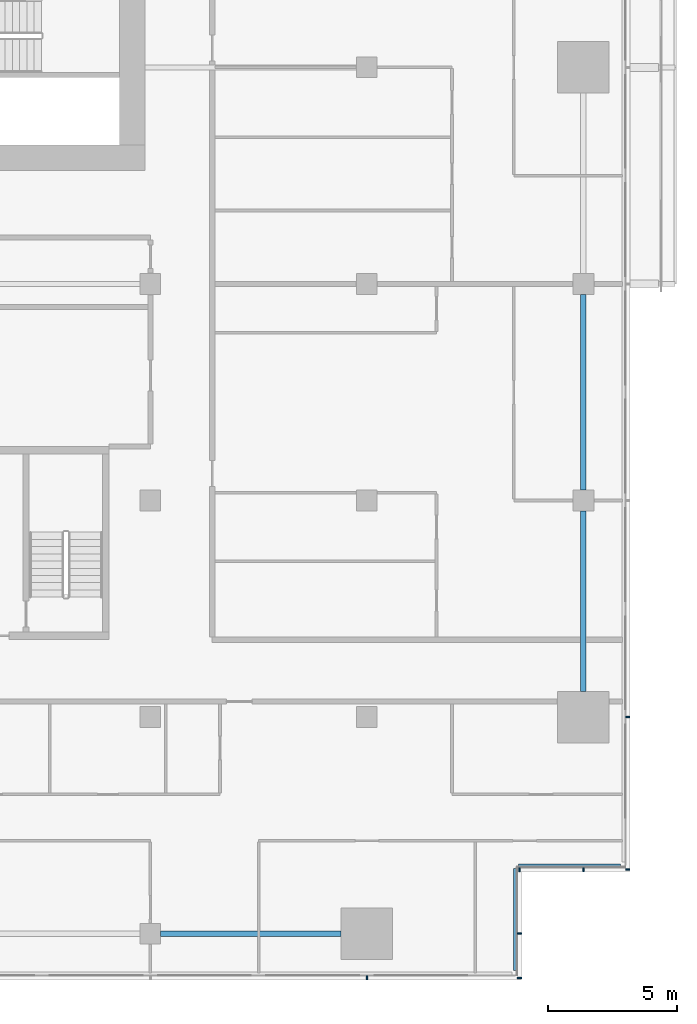
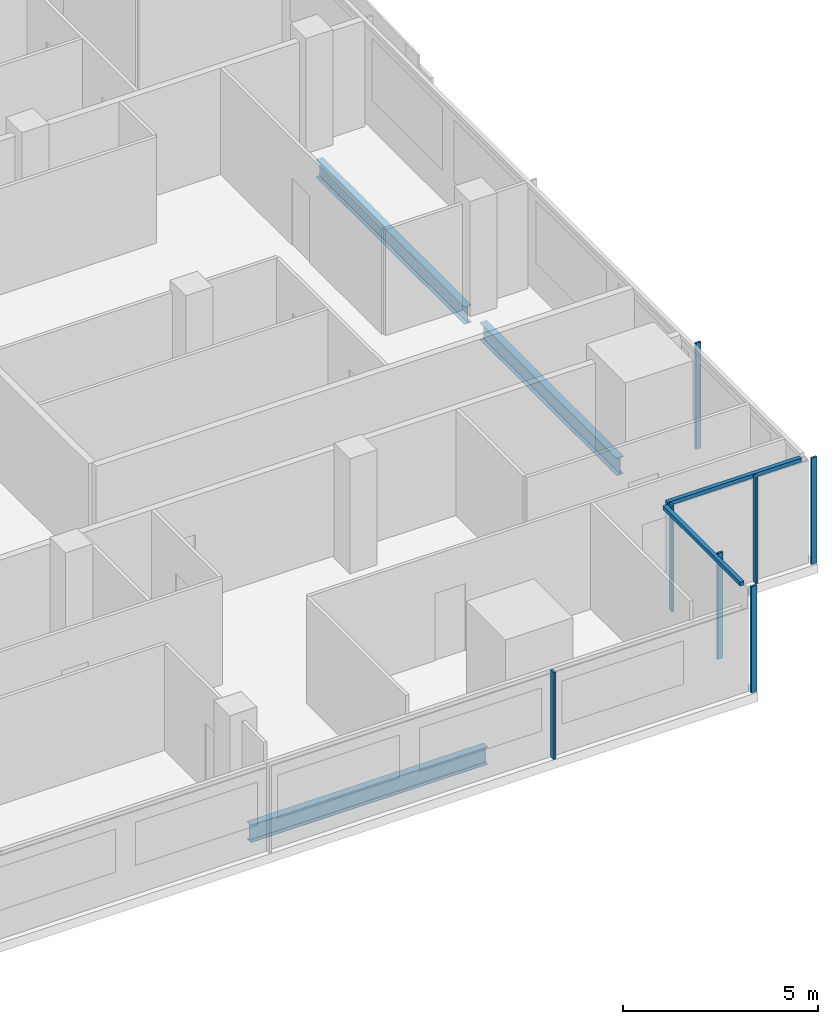
# One storey, part 10 of 27: 9 members, 3 beams, 4 elements without a shape of their own.
"""IFC4 building model written with IfcOpenShell, lengths in metres."""

from ifc_helpers import new_model, si_unit, direction, frame, origin, origin_2d, place, context, subcontext, project, spatial, rectangle, i_section, extrude, material, material_profile, profile_set, type_object, element, aggregate, save


model = new_model("IFC4")

# Units and contexts
model_context = context("Model", 3, precision=1e-05, world=origin(), true_north=direction((0.0, 1.0)))
body_context = subcontext(model_context, "Body", "Model", "MODEL_VIEW")
ifc_project = project(units=[si_unit("LENGTHUNIT", "METRE"), si_unit("AREAUNIT", "SQUARE_METRE"), si_unit("VOLUMEUNIT", "CUBIC_METRE"), si_unit("PLANEANGLEUNIT", "RADIAN"), si_unit("MASSUNIT", "GRAM", prefix="KILO")], contexts=[model_context])

# Site, building, storey
site_placement = place(None, origin())
site = spatial("IfcSite", under=ifc_project, at=site_placement, CompositionType="ELEMENT")
building_placement = place(site_placement, origin())
building = spatial("IfcBuilding", under=site, at=building_placement, Name="Saffron Gate Tower", CompositionType="ELEMENT")
storey_placement = place(building_placement, frame((0.0, 0.0, 134.85009765625)))
storey = spatial("IfcBuildingStorey", under=building, at=storey_placement, Name="L32", CompositionType="ELEMENT", Elevation=134.85009765625)

# Beams
ifc_material_1 = material(Name="Structural steel S355", Category="steel")
ifc_material_profile_1 = material_profile(ifc_material_1, i_section(OverallWidth=0.2099609375, OverallDepth=0.550048828125, WebThickness=0.010986328125, FlangeThickness=0.01708984375, FilletRadius=0.02392578125, at=origin_2d()))
ifc_profile_set_1 = profile_set([ifc_material_profile_1], Name="Structural steel S355")
beam_type = type_object("IfcBeamType", Name="B13 IPE 550", PredefinedType="SPANDREL", material=ifc_profile_set_1)
for number, where, z_axis, x_axis, name in (
    (1, (109.0, 31.800048828125, -0.55517578125), (1.0, 0.0, 0.0), (0.0, 1.0, 0.0), "B13 SPANDREL BEAM"),
    (2, (125.39990234375, 41.199951171875, -0.55517578125), (0.0, 1.0, 0.0), (-1.0, 0.0, 0.0), "B13 SPANDREL BEAM"),
):
    element("IfcBeam", number, at=place(storey_placement, frame(where, z_axis=z_axis, x_axis=x_axis)), inside=storey, type_object=beam_type, Name=name, PredefinedType="SPANDREL", context=body_context, shape_type="SweptSolid", body=[
        extrude(i_section(OverallWidth=0.2099609375, OverallDepth=0.550048828125, WebThickness=0.010986328125, FlangeThickness=0.01708984375, FilletRadius=0.02392578125, at=origin_2d()), origin(), (0.0, 0.0, 1.0), 7.0),
    ])
beam_placement = place(storey_placement, frame((125.39990234375, 49.0, -0.55517578125), z_axis=(0.0, 1.0, 0.0), x_axis=(-1.0, 0.0, 0.0)))
element("IfcBeam", 3, at=beam_placement, inside=storey, type_object=beam_type, Name="B13 SPANDREL BEAM", PredefinedType="SPANDREL", context=body_context, shape_type="SweptSolid", body=[
    extrude(i_section(OverallWidth=0.2099609375, OverallDepth=0.550048828125, WebThickness=0.010986328125, FlangeThickness=0.01708984375, FilletRadius=0.02392578125, at=origin_2d()), origin(), (0.0, 0.0, 1.0), 7.60009765625),
])

# Curtain wall, member
ifc_material_2 = material(Name="Aluminium, bronze anodised", Category="aluminium")
curtain_wall_type_1 = type_object("IfcCurtainWallType", Name="CWS1 curtain wall front facade", PredefinedType="NOTDEFINED", material=ifc_material_2)
curtain_wall_1_placement = place(storey_placement, origin())
curtain_wall_1 = element("IfcCurtainWall", 4, at=curtain_wall_1_placement, inside=storey, type_object=curtain_wall_type_1, Name="CWS1 run 1", PredefinedType="NOTDEFINED")
ifc_material_profile_2 = material_profile(ifc_material_2, rectangle(XDim=0.159912109375, YDim=0.06005859375, at=origin_2d()))
ifc_profile_set_2 = profile_set([ifc_material_profile_2], Name="Aluminium, bronze anodised")
member_type_1 = type_object("IfcMemberType", Name="CWS1 mullion 60x160", PredefinedType="MULLION", material=ifc_profile_set_2)
member_1_placement = place(storey_placement, frame((117.0, 30.080078125, 0.0), z_axis=(0.0, 0.0, 1.0), x_axis=(0.0, 1.0, 0.0)))
member_1 = element("IfcMember", 5, at=member_1_placement, type_object=member_type_1, Name="CWS1 mullion 9", PredefinedType="MULLION", context=body_context, shape_type="SweptSolid", body=[
    extrude(rectangle(XDim=0.159912109375, YDim=0.06005859375, at=origin_2d()), origin(), (0.0, 0.0, 1.0), 2.719970703125),
])
aggregate(curtain_wall_1, [member_1])

# Curtain wall, members
curtain_wall_type_2 = type_object("IfcCurtainWallType", Name="CWS2 curtain wall side facades", PredefinedType="NOTDEFINED", material=ifc_material_2)
curtain_wall_2_placement = place(storey_placement, origin())
curtain_wall_2 = element("IfcCurtainWall", 6, at=curtain_wall_2_placement, inside=storey, type_object=curtain_wall_type_2, Name="CWS2 run 4", PredefinedType="NOTDEFINED")
ifc_material_profile_3 = material_profile(ifc_material_2, rectangle(XDim=0.159912109375, YDim=0.06005859375, at=origin_2d()))
ifc_profile_set_3 = profile_set([ifc_material_profile_3], Name="Aluminium, bronze anodised")
member_type_2 = type_object("IfcMemberType", Name="CWS2 mullion 60x160", PredefinedType="MULLION", material=ifc_profile_set_3)
member_2_placement = place(storey_placement, frame((127.1201171875, 34.280029296875, 0.0), z_axis=(0.0, 0.0, 1.0), x_axis=(-1.0, 0.0, 0.0)))
member_2 = element("IfcMember", 7, at=member_2_placement, type_object=member_type_2, Name="CWS2 mullion 1", PredefinedType="MULLION", context=body_context, shape_type="SweptSolid", body=[
    extrude(rectangle(XDim=0.159912109375, YDim=0.06005859375, at=origin_2d()), origin(), (0.0, 0.0, 1.0), 3.31982421875),
])
member_3_placement = place(storey_placement, frame((127.1201171875, 40.199951171875, 0.0), z_axis=(0.0, 0.0, 1.0), x_axis=(-1.0, 0.0, 0.0)))
member_3 = element("IfcMember", 8, at=member_3_placement, type_object=member_type_2, Name="CWS2 mullion 2", PredefinedType="MULLION", context=body_context, shape_type="SweptSolid", body=[
    extrude(rectangle(XDim=0.159912109375, YDim=0.06005859375, at=origin_2d()), origin(), (0.0, 0.0, 1.0), 3.31982421875),
])
aggregate(curtain_wall_2, [member_2, member_3])

# Curtain wall, member
curtain_wall_type_3 = type_object("IfcCurtainWallType", Name="CWS4 curtain wall corner returns", PredefinedType="NOTDEFINED", material=ifc_material_2)
curtain_wall_3_placement = place(storey_placement, origin())
curtain_wall_3 = element("IfcCurtainWall", 9, at=curtain_wall_3_placement, inside=storey, type_object=curtain_wall_type_3, Name="CWS4 run 2", PredefinedType="NOTDEFINED")
ifc_material_profile_4 = material_profile(ifc_material_2, rectangle(XDim=0.1201171875, YDim=0.1201171875, at=origin_2d()))
ifc_profile_set_4 = profile_set([ifc_material_profile_4], Name="Aluminium, bronze anodised")
member_type_3 = type_object("IfcMemberType", Name="CWS4 head transom", PredefinedType="USERDEFINED", material=ifc_profile_set_4)
member_4_placement = place(storey_placement, frame((122.751953125, 30.367919921875, 3.260009765625), z_axis=(0.0, 1.0, 0.0), x_axis=(-1.0, 0.0, 0.0)))
member_4 = element("IfcMember", 10, at=member_4_placement, type_object=member_type_3, Name="CWS4 head transom", ObjectType="TRANSOM", PredefinedType="USERDEFINED", context=body_context, shape_type="SweptSolid", body=[
    extrude(rectangle(XDim=0.1201171875, YDim=0.1201171875, at=origin_2d()), origin(), (0.0, 0.0, 1.0), 3.9599609375),
])

curtain_wall_4_placement = place(storey_placement, origin())
curtain_wall_4 = element("IfcCurtainWall", 11, at=curtain_wall_4_placement, inside=storey, type_object=curtain_wall_type_3, Name="CWS4 run 3", PredefinedType="NOTDEFINED")
member_5_placement = place(storey_placement, frame((122.8720703125, 34.447998046875, 3.260009765625), z_axis=(1.0, 0.0, 0.0), x_axis=(0.0, 1.0, 0.0)))
member_5 = element("IfcMember", 12, at=member_5_placement, type_object=member_type_3, Name="CWS4 head transom", ObjectType="TRANSOM", PredefinedType="USERDEFINED", context=body_context, shape_type="SweptSolid", body=[
    extrude(rectangle(XDim=0.1201171875, YDim=0.1201171875, at=origin_2d()), origin(), (0.0, 0.0, 1.0), 3.9599609375),
])

# Member
ifc_material_profile_5 = material_profile(ifc_material_2, rectangle(XDim=0.159912109375, YDim=0.06005859375, at=origin_2d()))
ifc_profile_set_5 = profile_set([ifc_material_profile_5], Name="Aluminium, bronze anodised")
member_type_4 = type_object("IfcMemberType", Name="CWS4 mullion 60x160", PredefinedType="MULLION", material=ifc_profile_set_5)
member_6_placement = place(storey_placement, frame((122.919921875, 30.080078125, 0.0), z_axis=(0.0, 0.0, 1.0), x_axis=(-1.0, 0.0, 0.0)))
member_6 = element("IfcMember", 13, at=member_6_placement, type_object=member_type_4, Name="CWS4 mullion 1", PredefinedType="MULLION", context=body_context, shape_type="SweptSolid", body=[
    extrude(rectangle(XDim=0.159912109375, YDim=0.06005859375, at=origin_2d()), origin(), (0.0, 0.0, 1.0), 3.31982421875),
])

member_7_placement = place(storey_placement, frame((122.919921875, 31.800048828125, 0.0), z_axis=(0.0, 0.0, 1.0), x_axis=(-1.0, 0.0, 0.0)))
member_7 = element("IfcMember", 14, at=member_7_placement, type_object=member_type_4, Name="CWS4 mullion 2", PredefinedType="MULLION", context=body_context, shape_type="SweptSolid", body=[
    extrude(rectangle(XDim=0.159912109375, YDim=0.06005859375, at=origin_2d()), origin(), (0.0, 0.0, 1.0), 3.31982421875),
])

aggregate(curtain_wall_3, [member_6, member_7, member_4])

member_8_placement = place(storey_placement, frame((122.919921875, 34.280029296875, 0.0), z_axis=(0.0, 0.0, 1.0), x_axis=(0.0, 1.0, 0.0)))
member_8 = element("IfcMember", 15, at=member_8_placement, type_object=member_type_4, Name="CWS4 mullion 1", PredefinedType="MULLION", context=body_context, shape_type="SweptSolid", body=[
    extrude(rectangle(XDim=0.159912109375, YDim=0.06005859375, at=origin_2d()), origin(), (0.0, 0.0, 1.0), 3.31982421875),
])

member_9_placement = place(storey_placement, frame((125.39990234375, 34.280029296875, 0.0), z_axis=(0.0, 0.0, 1.0), x_axis=(0.0, 1.0, 0.0)))
member_9 = element("IfcMember", 16, at=member_9_placement, type_object=member_type_4, Name="CWS4 mullion 2", PredefinedType="MULLION", context=body_context, shape_type="SweptSolid", body=[
    extrude(rectangle(XDim=0.159912109375, YDim=0.06005859375, at=origin_2d()), origin(), (0.0, 0.0, 1.0), 3.31982421875),
])

aggregate(curtain_wall_4, [member_8, member_9, member_5])

save(model, "model.ifc")
